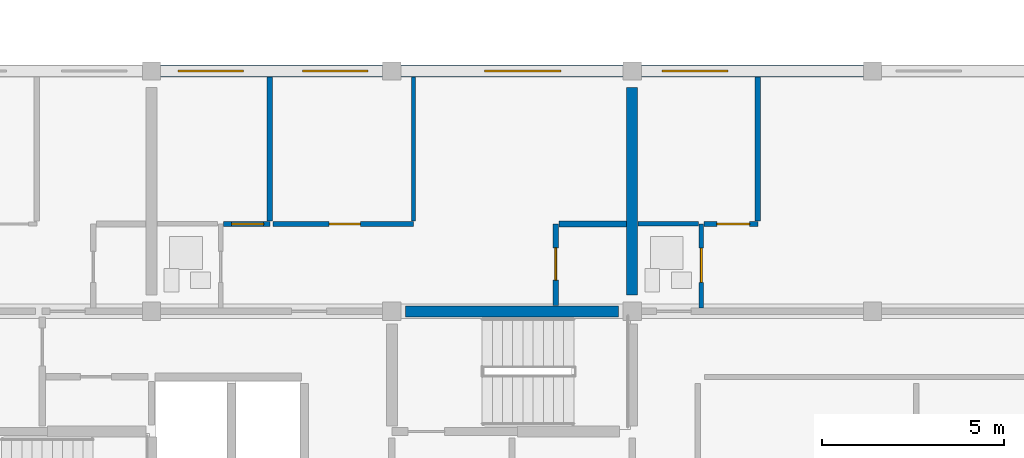
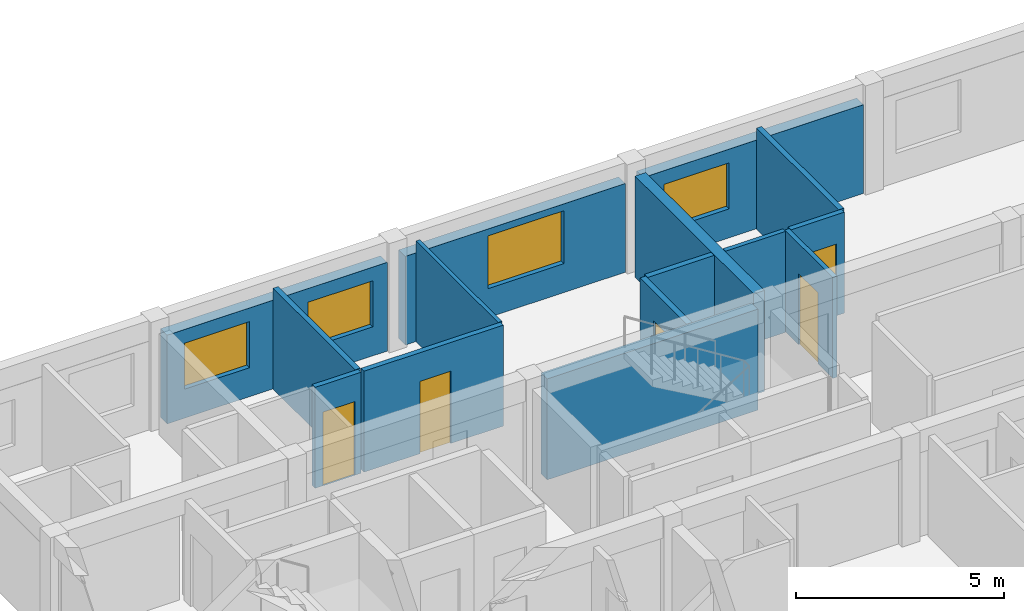
# One storey, part 36 of 45: 15 walls, 5 doors, 4 windows, 9 openings.
"""IFC4 building model written with IfcOpenShell, lengths in metres."""

from ifc_helpers import new_model, si_unit, direction, frame, frame_2d, origin, place, context, subcontext, project, spatial, rectangle, extrude, material, layer, layer_set, type_object, element, fill, save


model = new_model("IFC4")

# Units and contexts
model_context = context("Model", 3, precision=1e-05, world=origin(), true_north=direction((0.0, 1.0)))
body_context = subcontext(model_context, "Body", "Model", "MODEL_VIEW")
ifc_project = project(units=[si_unit("LENGTHUNIT", "METRE"), si_unit("AREAUNIT", "SQUARE_METRE"), si_unit("VOLUMEUNIT", "CUBIC_METRE"), si_unit("PLANEANGLEUNIT", "RADIAN"), si_unit("MASSUNIT", "GRAM", prefix="KILO")], contexts=[model_context])

# Site, building, storey
site_placement = place(None, origin())
site = spatial("IfcSite", under=ifc_project, at=site_placement, CompositionType="ELEMENT")
building_placement = place(site_placement, origin())
building = spatial("IfcBuilding", under=site, at=building_placement, Name="Kernevlak Ridge Housing Community", CompositionType="ELEMENT")
storey_placement = place(building_placement, frame((0.0, 0.0, 21.199951171875)))
storey = spatial("IfcBuildingStorey", under=building, at=storey_placement, Name="L06", CompositionType="ELEMENT", Elevation=21.199951171875)

# Wall, openings, windows
ifc_material_1 = material(Name="Concrete block masonry M10", Category="masonry")
ifc_layer_1 = layer(ifc_material_1, 0.320068359375, Name="Concrete block masonry M10")
ifc_layer_set_1 = layer_set([ifc_layer_1], Name="Concrete block masonry M10")
wall_type_1 = type_object("IfcWallType", Name="EW-02", PredefinedType="STANDARD", material=ifc_layer_set_1)
wall_1_placement = place(storey_placement, frame((126.25, 102.39990234375, 0.0), z_axis=(0.0, 0.0, 1.0), x_axis=(1.0, 0.0, 0.0)))
wall_1 = element("IfcWall", 1, at=wall_1_placement, inside=storey, type_object=wall_type_1, Name="Exterior wall EW-02 L06 393", PredefinedType="STANDARD", context=body_context, shape_type="SweptSolid", body=[
    extrude(rectangle(XDim=6.10009765625, YDim=0.320068359375, at=frame_2d((3.050048828125, 0.0))), origin(), (0.0, 0.0, 1.0), 2.60009765625),
])
opening_1_placement = place(wall_1_placement, frame((0.47509765625, 0.0, 0.85009765625)))
opening_1 = element("IfcOpeningElement", 2, at=opening_1_placement, cuts=wall_1, Name="Opening WT-03", PredefinedType="OPENING", context=body_context, shape_type="SweptSolid", body=[
    extrude(rectangle(XDim=1.800048828125, YDim=1.35009765625, at=frame_2d((0.89990234375, 0.675048828125))), frame((0.0, 0.169921875, 0.0), z_axis=(0.0, -1.0, 0.0), x_axis=(1.0, 0.0, 0.0)), (0.0, 0.0, 1.0), 0.340087890625),
])
opening_2_placement = place(wall_1_placement, frame((3.89990234375, 0.0, 0.85009765625)))
opening_2 = element("IfcOpeningElement", 3, at=opening_2_placement, cuts=wall_1, Name="Opening WT-03", PredefinedType="OPENING", context=body_context, shape_type="SweptSolid", body=[
    extrude(rectangle(XDim=1.800048828125, YDim=1.35009765625, at=frame_2d((0.89990234375, 0.675048828125))), frame((0.0, 0.169921875, 0.0), z_axis=(0.0, -1.0, 0.0), x_axis=(1.0, 0.0, 0.0)), (0.0, 0.0, 1.0), 0.340087890625),
])
ifc_material_2 = material(Name="Aluminium EN AW-6060 anodised and laminated glass", Category="aluminium")
window_type_1 = type_object("IfcWindowType", Name="WT-03", PartitioningType="SINGLE_PANEL", PredefinedType="WINDOW", material=ifc_material_2)
window_1_placement = place(opening_1_placement, origin())
window_1 = element("IfcWindow", 4, at=window_1_placement, inside=storey, type_object=window_type_1, Name="Window WT-03 L06 304", OverallHeight=1.35009765625, OverallWidth=1.800048828125, PartitioningType="SINGLE_PANEL", PredefinedType="WINDOW", context=body_context, shape_type="SweptSolid", body=[
    extrude(rectangle(XDim=1.800048828125, YDim=1.35009765625, at=frame_2d((0.89990234375, 0.675048828125))), frame((0.0, 0.030029296875, 0.0), z_axis=(0.0, -1.0, 0.0), x_axis=(1.0, 0.0, 0.0)), (0.0, 0.0, 1.0), 0.06005859375),
])
fill(opening_1, window_1)
window_2_placement = place(opening_2_placement, origin())
window_2 = element("IfcWindow", 5, at=window_2_placement, inside=storey, type_object=window_type_1, Name="Window WT-03 L06 305", OverallHeight=1.35009765625, OverallWidth=1.800048828125, PartitioningType="SINGLE_PANEL", PredefinedType="WINDOW", context=body_context, shape_type="SweptSolid", body=[
    extrude(rectangle(XDim=1.800048828125, YDim=1.35009765625, at=frame_2d((0.89990234375, 0.675048828125))), frame((0.0, 0.030029296875, 0.0), z_axis=(0.0, -1.0, 0.0), x_axis=(1.0, 0.0, 0.0)), (0.0, 0.0, 1.0), 0.06005859375),
])
fill(opening_2, window_2)

# Wall, opening, window
wall_2_placement = place(storey_placement, frame((132.85009765625, 102.39990234375, 0.0), z_axis=(0.0, 0.0, 1.0), x_axis=(1.0, 0.0, 0.0)))
wall_2 = element("IfcWall", 6, at=wall_2_placement, inside=storey, type_object=wall_type_1, Name="Exterior wall EW-02 L06 394", PredefinedType="STANDARD", context=body_context, shape_type="SweptSolid", body=[
    extrude(rectangle(XDim=6.099853515625, YDim=0.320068359375, at=frame_2d((3.0498046875, 0.0))), origin(), (0.0, 0.0, 1.0), 2.60009765625),
])
opening_3_placement = place(wall_2_placement, frame((2.2958984375, 0.0, 0.85009765625)))
opening_3 = element("IfcOpeningElement", 7, at=opening_3_placement, cuts=wall_2, Name="Opening WT-05", PredefinedType="OPENING", context=body_context, shape_type="SweptSolid", body=[
    extrude(rectangle(XDim=2.10009765625, YDim=1.550048828125, at=frame_2d((1.050048828125, 0.77490234375))), frame((0.0, 0.169921875, 0.0), z_axis=(0.0, -1.0, 0.0), x_axis=(1.0, 0.0, 0.0)), (0.0, 0.0, 1.0), 0.340087890625),
])
window_type_2 = type_object("IfcWindowType", Name="WT-05", PartitioningType="SINGLE_PANEL", PredefinedType="WINDOW", material=ifc_material_2)
window_3_placement = place(opening_3_placement, origin())
window_3 = element("IfcWindow", 8, at=window_3_placement, inside=storey, type_object=window_type_2, Name="Window WT-05 L06 306", OverallHeight=1.550048828125, OverallWidth=2.10009765625, PartitioningType="SINGLE_PANEL", PredefinedType="WINDOW", context=body_context, shape_type="SweptSolid", body=[
    extrude(rectangle(XDim=2.10009765625, YDim=1.550048828125, at=frame_2d((1.050048828125, 0.77490234375))), frame((0.0, 0.030029296875, 0.0), z_axis=(0.0, -1.0, 0.0), x_axis=(1.0, 0.0, 0.0)), (0.0, 0.0, 1.0), 0.06005859375),
])
fill(opening_3, window_3)

wall_3_placement = place(storey_placement, frame((139.449951171875, 102.39990234375, 0.0), z_axis=(0.0, 0.0, 1.0), x_axis=(1.0, 0.0, 0.0)))
wall_3 = element("IfcWall", 9, at=wall_3_placement, inside=storey, type_object=wall_type_1, Name="Exterior wall EW-02 L06 395", PredefinedType="STANDARD", context=body_context, shape_type="SweptSolid", body=[
    extrude(rectangle(XDim=6.10009765625, YDim=0.320068359375, at=frame_2d((3.050048828125, 0.0))), origin(), (0.0, 0.0, 1.0), 2.60009765625),
])
opening_4_placement = place(wall_3_placement, frame((0.574951171875, 0.0, 0.85009765625)))
opening_4 = element("IfcOpeningElement", 10, at=opening_4_placement, cuts=wall_3, Name="Opening WT-03", PredefinedType="OPENING", context=body_context, shape_type="SweptSolid", body=[
    extrude(rectangle(XDim=1.800048828125, YDim=1.35009765625, at=frame_2d((0.89990234375, 0.675048828125))), frame((0.0, 0.169921875, 0.0), z_axis=(0.0, -1.0, 0.0), x_axis=(1.0, 0.0, 0.0)), (0.0, 0.0, 1.0), 0.340087890625),
])
window_4_placement = place(opening_4_placement, origin())
window_4 = element("IfcWindow", 11, at=window_4_placement, inside=storey, type_object=window_type_1, Name="Window WT-03 L06 307", OverallHeight=1.35009765625, OverallWidth=1.800048828125, PartitioningType="SINGLE_PANEL", PredefinedType="WINDOW", context=body_context, shape_type="SweptSolid", body=[
    extrude(rectangle(XDim=1.800048828125, YDim=1.35009765625, at=frame_2d((0.89990234375, 0.675048828125))), frame((0.0, 0.030029296875, 0.0), z_axis=(0.0, -1.0, 0.0), x_axis=(1.0, 0.0, 0.0)), (0.0, 0.0, 1.0), 0.06005859375),
])
fill(opening_4, window_4)

# Wall, opening, door
ifc_layer_2 = layer(ifc_material_1, 0.14501953125, Name="Concrete block masonry M10")
ifc_layer_set_2 = layer_set([ifc_layer_2], Name="Concrete block masonry M10")
wall_type_2 = type_object("IfcWallType", Name="PW-03", PredefinedType="PARTITIONING", material=ifc_layer_set_2)
wall_4_placement = place(storey_placement, frame((127.972412109375, 98.199951171875, 0.0), z_axis=(0.0, 0.0, 1.0), x_axis=(1.0, 0.0, 0.0)))
wall_4 = element("IfcWall", 12, at=wall_4_placement, inside=storey, type_object=wall_type_2, Name="Interior wall PW-03 WAL-INT-L06-1563", PredefinedType="PARTITIONING", context=body_context, shape_type="SweptSolid", body=[
    extrude(rectangle(XDim=1.277587890625, YDim=0.14501953125, at=frame_2d((0.638671875, 0.0))), origin(), (0.0, 0.0, 1.0), 2.9599609375),
])
opening_5_placement = place(wall_4_placement, frame((0.2275390625, 0.0, 0.0)))
opening_5 = element("IfcOpeningElement", 13, at=opening_5_placement, cuts=wall_4, Name="Opening D791", PredefinedType="OPENING", context=body_context, shape_type="SweptSolid", body=[
    extrude(rectangle(XDim=0.8798828125, YDim=2.159912109375, at=frame_2d((0.43994140625, 1.080078125))), frame((0.0, 0.08251953125, 0.0), z_axis=(0.0, -1.0, 0.0), x_axis=(1.0, 0.0, 0.0)), (0.0, 0.0, 1.0), 0.1650390625),
])
ifc_material_3 = material(Name="Hardwood timber leaf", Category="wood")
door_type_1 = type_object("IfcDoorType", Name="DT-26", OperationType="NOTDEFINED", PredefinedType="DOOR", material=ifc_material_3)
door_1_placement = place(opening_5_placement, origin())
door_1 = element("IfcDoor", 14, at=door_1_placement, inside=storey, type_object=door_type_1, Name="Flat B0622 bedroom door D791", OperationType="SINGLE_SWING_LEFT", OverallHeight=2.159912109375, OverallWidth=0.8798828125, PredefinedType="DOOR", context=body_context, shape_type="SweptSolid", body=[
    extrude(rectangle(XDim=0.8798828125, YDim=2.159912109375, at=frame_2d((0.43994140625, 1.080078125))), frame((0.0, 0.02490234375, 0.0), z_axis=(0.0, -1.0, 0.0), x_axis=(1.0, 0.0, 0.0)), (0.0, 0.0, 1.0), 0.050048828125),
])
fill(opening_5, door_1)

# Wall
wall_5_placement = place(storey_placement, frame((129.25, 98.282470703125, 0.0), z_axis=(0.0, 0.0, 1.0), x_axis=(0.0, 1.0, 0.0)))
element("IfcWall", 15, at=wall_5_placement, inside=storey, type_object=wall_type_2, Name="Interior wall PW-03 WAL-INT-L06-1564", PredefinedType="PARTITIONING", context=body_context, shape_type="SweptSolid", body=[
    extrude(rectangle(XDim=3.947509765625, YDim=0.14501953125, at=frame_2d((1.9736328125, 0.0))), origin(), (0.0, 0.0, 1.0), 2.9599609375),
])

# Wall, opening, door
wall_6_placement = place(storey_placement, frame((129.33251953125, 98.199951171875, 0.0), z_axis=(0.0, 0.0, 1.0), x_axis=(1.0, 0.0, 0.0)))
wall_6 = element("IfcWall", 16, at=wall_6_placement, inside=storey, type_object=wall_type_2, Name="Interior wall PW-03 WAL-INT-L06-1565", PredefinedType="PARTITIONING", context=body_context, shape_type="SweptSolid", body=[
    extrude(rectangle(XDim=3.859375, YDim=0.14501953125, at=frame_2d((1.9296875, 0.0))), origin(), (0.0, 0.0, 1.0), 2.9599609375),
])
opening_6_placement = place(wall_6_placement, frame((1.5458984375, 0.0, 0.0)))
opening_6 = element("IfcOpeningElement", 17, at=opening_6_placement, cuts=wall_6, Name="Opening D792", PredefinedType="OPENING", context=body_context, shape_type="SweptSolid", body=[
    extrude(rectangle(XDim=0.860107421875, YDim=2.1201171875, at=frame_2d((0.43017578125, 1.06005859375))), frame((0.0, 0.08251953125, 0.0), z_axis=(0.0, -1.0, 0.0), x_axis=(1.0, 0.0, 0.0)), (0.0, 0.0, 1.0), 0.1650390625),
])
door_type_2 = type_object("IfcDoorType", Name="DT-28", OperationType="NOTDEFINED", PredefinedType="DOOR", material=ifc_material_3)
door_2_placement = place(opening_6_placement, origin())
door_2 = element("IfcDoor", 18, at=door_2_placement, inside=storey, type_object=door_type_2, Name="Flat B0622 bedroom door D792", OperationType="SINGLE_SWING_RIGHT", OverallHeight=2.1201171875, OverallWidth=0.860107421875, PredefinedType="DOOR", context=body_context, shape_type="SweptSolid", body=[
    extrude(rectangle(XDim=0.860107421875, YDim=2.1201171875, at=frame_2d((0.43017578125, 1.06005859375))), frame((0.0, 0.02490234375, 0.0), z_axis=(0.0, -1.0, 0.0), x_axis=(1.0, 0.0, 0.0)), (0.0, 0.0, 1.0), 0.050048828125),
])
fill(opening_6, door_2)

wall_7_placement = place(storey_placement, frame((141.172607421875, 98.199951171875, 0.0), z_axis=(0.0, 0.0, 1.0), x_axis=(1.0, 0.0, 0.0)))
wall_7 = element("IfcWall", 19, at=wall_7_placement, inside=storey, type_object=wall_type_2, Name="Interior wall PW-03 WAL-INT-L06-1572", PredefinedType="PARTITIONING", context=body_context, shape_type="SweptSolid", body=[
    extrude(rectangle(XDim=1.477294921875, YDim=0.14501953125, at=frame_2d((0.73876953125, 0.0))), origin(), (0.0, 0.0, 1.0), 2.9599609375),
])
opening_7_placement = place(wall_7_placement, frame((0.35009765625, 0.0, 0.0)))
opening_7 = element("IfcOpeningElement", 20, at=opening_7_placement, cuts=wall_7, Name="Opening D796", PredefinedType="OPENING", context=body_context, shape_type="SweptSolid", body=[
    extrude(rectangle(XDim=0.89990234375, YDim=2.10009765625, at=frame_2d((0.449951171875, 1.050048828125))), frame((0.0, 0.08251953125, 0.0), z_axis=(0.0, -1.0, 0.0), x_axis=(1.0, 0.0, 0.0)), (0.0, 0.0, 1.0), 0.1650390625),
])
door_type_3 = type_object("IfcDoorType", Name="DT-21", OperationType="NOTDEFINED", PredefinedType="DOOR", material=ifc_material_3)
door_3_placement = place(opening_7_placement, origin())
door_3 = element("IfcDoor", 21, at=door_3_placement, inside=storey, type_object=door_type_3, Name="Flat B0623 bedroom door D796", OperationType="SINGLE_SWING_RIGHT", OverallHeight=2.10009765625, OverallWidth=0.89990234375, PredefinedType="DOOR", context=body_context, shape_type="SweptSolid", body=[
    extrude(rectangle(XDim=0.89990234375, YDim=2.10009765625, at=frame_2d((0.449951171875, 1.050048828125))), frame((0.0, 0.02490234375, 0.0), z_axis=(0.0, -1.0, 0.0), x_axis=(1.0, 0.0, 0.0)), (0.0, 0.0, 1.0), 0.050048828125),
])
fill(opening_7, door_3)

# Wall
wall_8_placement = place(storey_placement, frame((142.64990234375, 98.282470703125, 0.0), z_axis=(0.0, 0.0, 1.0), x_axis=(0.0, 1.0, 0.0)))
element("IfcWall", 22, at=wall_8_placement, inside=storey, type_object=wall_type_2, Name="Interior wall PW-03 WAL-INT-L06-1573", PredefinedType="PARTITIONING", context=body_context, shape_type="SweptSolid", body=[
    extrude(rectangle(XDim=3.947509765625, YDim=0.14501953125, at=frame_2d((1.9736328125, 0.0))), origin(), (0.0, 0.0, 1.0), 2.9599609375),
])

# Wall, opening, door
ifc_material_4 = material(Name="Gypsum plasterboard EN 520", Category="gypsum")
ifc_layer_3 = layer(ifc_material_4, 0.125, Name="Gypsum plasterboard EN 520")
ifc_layer_set_3 = layer_set([ifc_layer_3], Name="Gypsum plasterboard EN 520")
wall_type_3 = type_object("IfcWallType", Name="PW-04", PredefinedType="PARTITIONING", material=ifc_layer_set_3)
wall_9_placement = place(storey_placement, frame((141.10009765625, 95.8974609375, 0.0), z_axis=(0.0, 0.0, 1.0), x_axis=(0.0, 1.0, 0.0)))
wall_9 = element("IfcWall", 23, at=wall_9_placement, inside=storey, type_object=wall_type_3, Name="Interior wall PW-04 WAL-INT-L06-1568", PredefinedType="PARTITIONING", context=body_context, shape_type="SweptSolid", body=[
    extrude(rectangle(XDim=2.302490234375, YDim=0.125, at=frame_2d((1.1513671875, 0.0))), origin(), (0.0, 0.0, 1.0), 2.9599609375),
])
opening_8_placement = place(wall_9_placement, frame((0.699951171875, 0.0, 0.0)))
opening_8 = element("IfcOpeningElement", 24, at=opening_8_placement, cuts=wall_9, Name="Opening D794", PredefinedType="OPENING", context=body_context, shape_type="SweptSolid", body=[
    extrude(rectangle(XDim=0.93994140625, YDim=2.080078125, at=frame_2d((0.469970703125, 1.0400390625))), frame((0.0, 0.072509765625, 0.0), z_axis=(0.0, -1.0, 0.0), x_axis=(1.0, 0.0, 0.0)), (0.0, 0.0, 1.0), 0.14501953125),
])
ifc_material_5 = material(Name="Hardwood timber moisture-resistant leaf", Category="wood")
door_type_4 = type_object("IfcDoorType", Name="DT-23", OperationType="NOTDEFINED", PredefinedType="DOOR", material=ifc_material_5)
door_4_placement = place(opening_8_placement, origin())
door_4 = element("IfcDoor", 25, at=door_4_placement, inside=storey, type_object=door_type_4, Name="Flat B0623 bathroom door D794", OperationType="SINGLE_SWING_RIGHT", OverallHeight=2.080078125, OverallWidth=0.93994140625, PredefinedType="DOOR", context=body_context, shape_type="SweptSolid", body=[
    extrude(rectangle(XDim=0.93994140625, YDim=2.080078125, at=frame_2d((0.469970703125, 1.0400390625))), frame((0.0, 0.02490234375, 0.0), z_axis=(0.0, -1.0, 0.0), x_axis=(1.0, 0.0, 0.0)), (0.0, 0.0, 1.0), 0.050048828125),
])
fill(opening_8, door_4)

# Wall
wall_10_placement = place(storey_placement, frame((139.360107421875, 98.199951171875, 0.0), z_axis=(0.0, 0.0, 1.0), x_axis=(1.0, 0.0, 0.0)))
element("IfcWall", 26, at=wall_10_placement, inside=storey, type_object=wall_type_3, Name="Interior wall PW-04 WAL-INT-L06-1569", PredefinedType="PARTITIONING", context=body_context, shape_type="SweptSolid", body=[
    extrude(rectangle(XDim=1.659912109375, YDim=0.125, at=frame_2d((0.830078125, 0.0))), origin(), (0.0, 0.0, 1.0), 2.9599609375),
])

# Wall, opening, door
ifc_layer_4 = layer(ifc_material_4, 0.155029296875, Name="Gypsum plasterboard EN 520")
ifc_layer_set_4 = layer_set([ifc_layer_4], Name="Gypsum plasterboard EN 520")
wall_type_4 = type_object("IfcWallType", Name="PW-05", PredefinedType="PARTITIONING", material=ifc_layer_set_4)
wall_11_placement = place(storey_placement, frame((137.10009765625, 95.9599609375, 0.0), z_axis=(0.0, 0.0, 1.0), x_axis=(0.0, 1.0, 0.0)))
wall_11 = element("IfcWall", 27, at=wall_11_placement, inside=storey, type_object=wall_type_4, Name="Interior wall PW-05 WAL-INT-L06-1561", PredefinedType="PARTITIONING", context=body_context, shape_type="SweptSolid", body=[
    extrude(rectangle(XDim=2.239990234375, YDim=0.155029296875, at=frame_2d((1.1201171875, 0.0))), origin(), (0.0, 0.0, 1.0), 2.9599609375),
])
opening_9_placement = place(wall_11_placement, frame((0.699951171875, 0.0, 0.0)))
opening_9 = element("IfcOpeningElement", 28, at=opening_9_placement, cuts=wall_11, Name="Opening D790", PredefinedType="OPENING", context=body_context, shape_type="SweptSolid", body=[
    extrude(rectangle(XDim=0.8798828125, YDim=2.10009765625, at=frame_2d((0.43994140625, 1.050048828125))), frame((0.0, 0.08740234375, 0.0), z_axis=(0.0, -1.0, 0.0), x_axis=(1.0, 0.0, 0.0)), (0.0, 0.0, 1.0), 0.175048828125),
])
door_type_5 = type_object("IfcDoorType", Name="DT-25", OperationType="NOTDEFINED", PredefinedType="DOOR", material=ifc_material_3)
door_5_placement = place(opening_9_placement, origin())
door_5 = element("IfcDoor", 29, at=door_5_placement, inside=storey, type_object=door_type_5, Name="Flat B0622 kitchen door D790", OperationType="SINGLE_SWING_RIGHT", OverallHeight=2.10009765625, OverallWidth=0.8798828125, PredefinedType="DOOR", context=body_context, shape_type="SweptSolid", body=[
    extrude(rectangle(XDim=0.8798828125, YDim=2.10009765625, at=frame_2d((0.43994140625, 1.050048828125))), frame((0.0, 0.02490234375, 0.0), z_axis=(0.0, -1.0, 0.0), x_axis=(1.0, 0.0, 0.0)), (0.0, 0.0, 1.0), 0.050048828125),
])
fill(opening_9, door_5)

# Walls
wall_12_placement = place(storey_placement, frame((137.1875, 98.199951171875, 0.0), z_axis=(0.0, 0.0, 1.0), x_axis=(1.0, 0.0, 0.0)))
element("IfcWall", 30, at=wall_12_placement, inside=storey, type_object=wall_type_4, Name="Interior wall PW-05 WAL-INT-L06-1562", PredefinedType="PARTITIONING", context=body_context, shape_type="SweptSolid", body=[
    extrude(rectangle(XDim=1.8525390625, YDim=0.155029296875, at=frame_2d((0.92626953125, 0.0))), origin(), (0.0, 0.0, 1.0), 2.9599609375),
])
ifc_layer_5 = layer(ifc_material_4, 0.10498046875, Name="Gypsum plasterboard EN 520")
ifc_layer_set_5 = layer_set([ifc_layer_5], Name="Gypsum plasterboard EN 520")
wall_type_5 = type_object("IfcWallType", Name="PW-06", PredefinedType="PARTITIONING", material=ifc_layer_set_5)
wall_13_placement = place(storey_placement, frame((133.19189453125, 98.282470703125, 0.0), z_axis=(0.0, 0.0, 1.0), x_axis=(0.0, 1.0, 0.0)))
element("IfcWall", 31, at=wall_13_placement, inside=storey, type_object=wall_type_5, Name="Interior wall PW-06 WAL-INT-L06-1566", PredefinedType="PARTITIONING", context=body_context, shape_type="SweptSolid", body=[
    extrude(rectangle(XDim=3.947509765625, YDim=0.10498046875, at=frame_2d((1.9736328125, 0.0))), origin(), (0.0, 0.0, 1.0), 2.9599609375),
])
ifc_material_6 = material(Name="Concrete C40/50", Category="concrete")
ifc_layer_6 = layer(ifc_material_6, 0.300048828125, Name="Concrete C40/50")
ifc_layer_set_6 = layer_set([ifc_layer_6], Name="Concrete C40/50")
wall_type_6 = type_object("IfcWallType", Name="SW-02", PredefinedType="SHEAR", material=ifc_layer_set_6)
wall_14_placement = place(storey_placement, frame((132.97998046875, 95.800048828125, 0.0), z_axis=(0.0, 0.0, 1.0), x_axis=(1.0, 0.0, 0.0)))
element("IfcWall", 32, at=wall_14_placement, inside=storey, type_object=wall_type_6, Name="Shear wall SW-02 Block B L06 274", PredefinedType="SHEAR", context=body_context, shape_type="SweptSolid", body=[
    extrude(rectangle(XDim=5.840087890625, YDim=0.300048828125, at=frame_2d((2.919921875, 0.0))), origin(), (0.0, 0.0, 1.0), 2.9599609375),
])
wall_15_placement = place(storey_placement, frame((139.199951171875, 96.25, 0.0), z_axis=(0.0, 0.0, 1.0), x_axis=(0.0, 1.0, 0.0)))
element("IfcWall", 33, at=wall_15_placement, inside=storey, type_object=wall_type_6, Name="Shear wall SW-02 Block B L06 280", PredefinedType="SHEAR", context=body_context, shape_type="SweptSolid", body=[
    extrude(rectangle(XDim=5.699951171875, YDim=0.300048828125, at=frame_2d((2.85009765625, 0.0))), origin(), (0.0, 0.0, 1.0), 2.9599609375),
])

save(model, "model.ifc")
